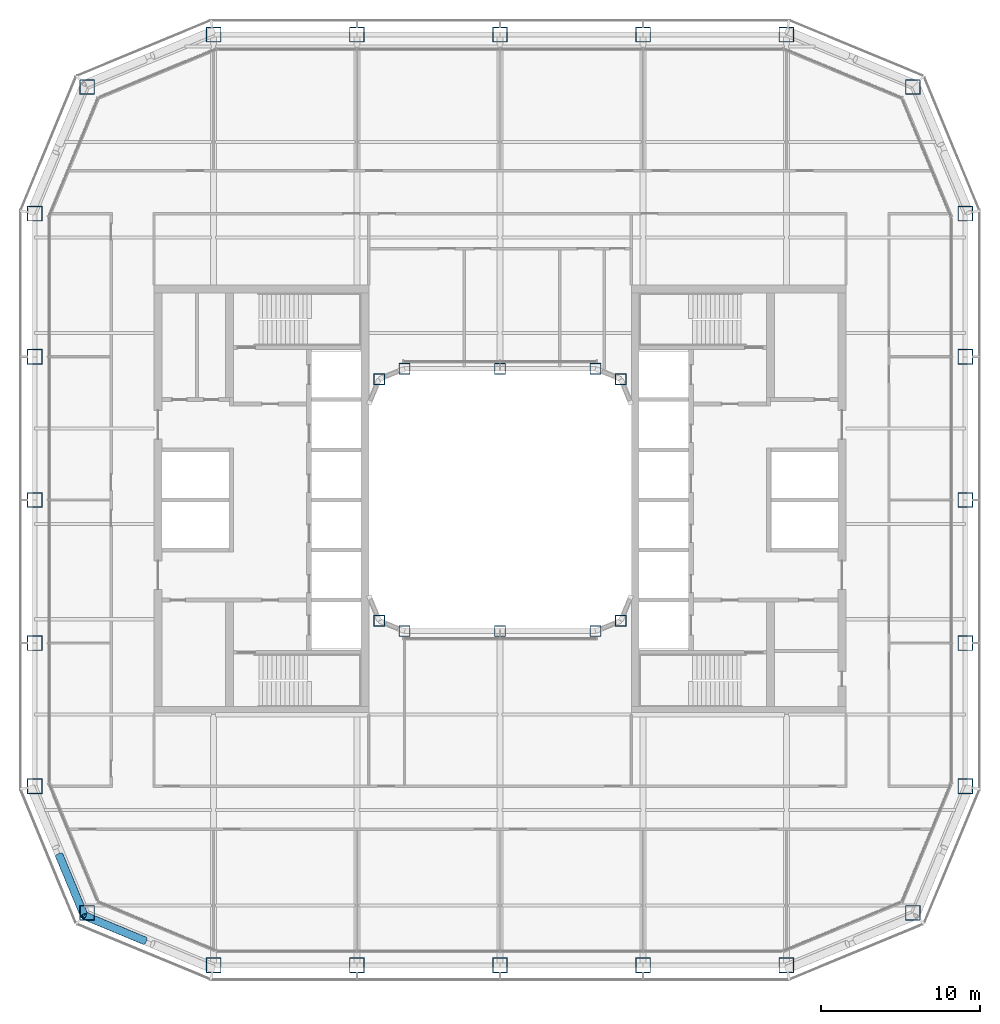
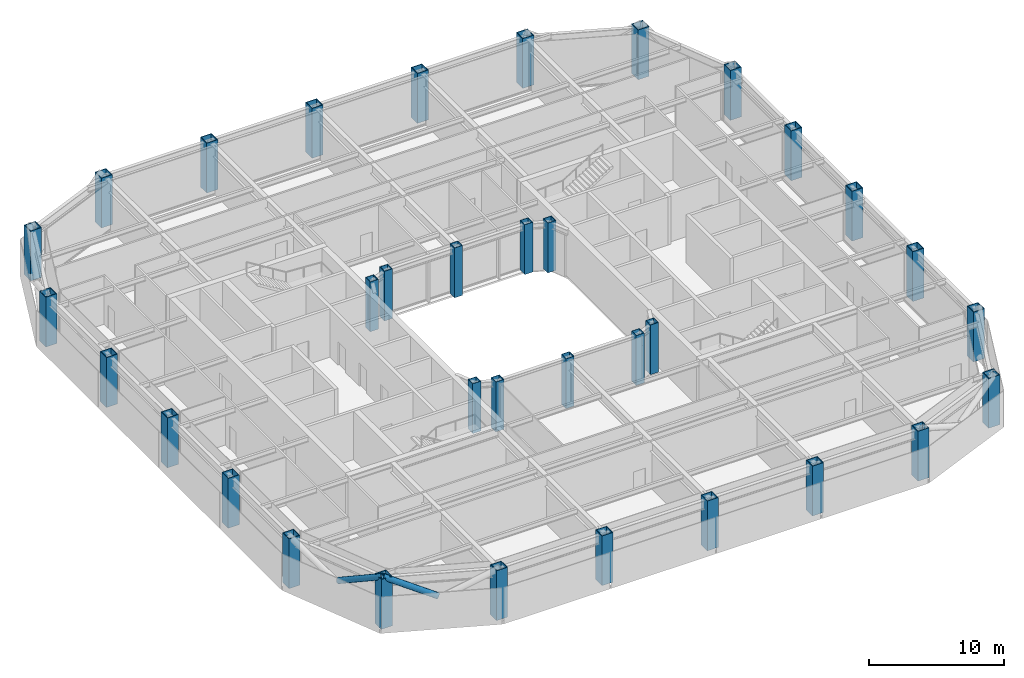
# One storey, part 1 of 21: 34 columns, 2 members.
"""IFC4 building model written with IfcOpenShell, lengths in metres."""

from ifc_helpers import new_model, si_unit, direction, frame, origin, origin_2d, place, context, subcontext, project, spatial, hollow_rectangle, hollow_circle, extrude, material, material_profile, profile_set, type_object, element, save


model = new_model("IFC4")

# Units and contexts
model_context = context("Model", 3, precision=1e-05, world=origin(), true_north=direction((0.0, 1.0)))
body_context = subcontext(model_context, "Body", "Model", "MODEL_VIEW")
ifc_project = project(units=[si_unit("LENGTHUNIT", "METRE"), si_unit("AREAUNIT", "SQUARE_METRE"), si_unit("VOLUMEUNIT", "CUBIC_METRE"), si_unit("PLANEANGLEUNIT", "RADIAN"), si_unit("MASSUNIT", "GRAM", prefix="KILO")], contexts=[model_context])

# Site, building, storey
site_placement = place(None, origin())
site = spatial("IfcSite", under=ifc_project, at=site_placement, CompositionType="ELEMENT")
building_placement = place(site_placement, origin())
building = spatial("IfcBuilding", under=site, at=building_placement, Name="Siwar Civic Tower", CompositionType="ELEMENT")
storey_placement = place(building_placement, frame((0.0, 0.0, 122.699951171875)))
storey = spatial("IfcBuildingStorey", under=building, at=storey_placement, Name="L26", CompositionType="ELEMENT", Elevation=122.699951171875)

# Columns
ifc_material_1 = material(Name="Steel S355", Category="steel")
ifc_material_profile_1 = material_profile(ifc_material_1, hollow_rectangle(XDim=0.949951171875, YDim=0.949951171875, WallThickness=0.054931640625, at=origin_2d()), Name="BOX950x950x55")
ifc_profile_set_1 = profile_set([ifc_material_profile_1], Name="Steel S355")
column_type_1 = type_object("IfcColumnType", Name="STR-COL-BOX950x950x55", PredefinedType="COLUMN", material=ifc_profile_set_1)
for number, where, z_axis, x_axis, name in (
    (1, (-18.0, -29.25, 0.0), (0.0, 0.0, 1.0), (1.0, 0.0, 0.0), "L26/col/S-0"),
    (2, (-9.0, -29.25, 0.0), (0.0, 0.0, 1.0), (1.0, 0.0, 0.0), "L26/col/S-1"),
    (3, (0.0, -29.25, 0.0), (0.0, 0.0, 1.0), (1.0, 0.0, 0.0), "L26/col/S-2"),
    (4, (9.0, -29.25, 0.0), (0.0, 0.0, 1.0), (1.0, 0.0, 0.0), "L26/col/S-3"),
    (5, (18.0, -29.25, 0.0), (0.0, 0.0, 1.0), (1.0, 0.0, 0.0), "L26/col/SE1-0"),
    (6, (25.954833984375, -25.954833984375, 0.0), (0.0, 0.0, 1.0), (1.0, 0.0, 0.0), "L26/col/SE2-0"),
    (7, (29.25, -18.0, 0.0), (0.0, 0.0, 1.0), (1.0, 0.0, 0.0), "L26/col/E-0"),
    (8, (29.25, -9.0, 0.0), (0.0, 0.0, 1.0), (1.0, 0.0, 0.0), "L26/col/E-1"),
    (9, (29.25, 0.0, 0.0), (0.0, 0.0, 1.0), (1.0, 0.0, 0.0), "L26/col/E-2"),
    (10, (29.25, 9.0, 0.0), (0.0, 0.0, 1.0), (1.0, 0.0, 0.0), "L26/col/E-3"),
    (11, (29.25, 18.0, 0.0), (0.0, 0.0, 1.0), (1.0, 0.0, 0.0), "L26/col/NE1-0"),
    (12, (25.954833984375, 25.954833984375, 0.0), (0.0, 0.0, 1.0), (1.0, 0.0, 0.0), "L26/col/NE2-0"),
    (13, (18.0, 29.25, 0.0), (0.0, 0.0, 1.0), (1.0, 0.0, 0.0), "L26/col/N-0"),
    (14, (9.0, 29.25, 0.0), (0.0, 0.0, 1.0), (1.0, 0.0, 0.0), "L26/col/N-1"),
    (15, (0.0, 29.25, 0.0), (0.0, 0.0, 1.0), (1.0, 0.0, 0.0), "L26/col/N-2"),
    (16, (-9.0, 29.25, 0.0), (0.0, 0.0, 1.0), (1.0, 0.0, 0.0), "L26/col/N-3"),
    (17, (-18.0, 29.25, 0.0), (0.0, 0.0, 1.0), (1.0, 0.0, 0.0), "L26/col/NW1-0"),
    (18, (-25.954833984375, 25.954833984375, 0.0), (0.0, 0.0, 1.0), (1.0, 0.0, 0.0), "L26/col/NW2-0"),
    (19, (-29.25, 18.0, 0.0), (0.0, 0.0, 1.0), (1.0, 0.0, 0.0), "L26/col/W-0"),
    (20, (-29.25, 9.0, 0.0), (0.0, 0.0, 1.0), (1.0, 0.0, 0.0), "L26/col/W-1"),
    (21, (-29.25, 0.0, 0.0), (0.0, 0.0, 1.0), (1.0, 0.0, 0.0), "L26/col/W-2"),
    (22, (-29.25, -9.0, 0.0), (0.0, 0.0, 1.0), (1.0, 0.0, 0.0), "L26/col/W-3"),
    (23, (-29.25, -18.0, 0.0), (0.0, 0.0, 1.0), (1.0, 0.0, 0.0), "L26/col/SW1-0"),
    (24, (-25.954833984375, -25.954833984375, 0.0), (0.0, 0.0, 1.0), (1.0, 0.0, 0.0), "L26/col/SW2-0"),
):
    element("IfcColumn", number, at=place(storey_placement, frame(where, z_axis=z_axis, x_axis=x_axis)), inside=storey, type_object=column_type_1, Name=name, PredefinedType="COLUMN", context=body_context, shape_type="SweptSolid", body=[
        extrude(hollow_rectangle(XDim=0.949951171875, YDim=0.949951171875, WallThickness=0.054931640625, at=origin_2d()), origin(), (0.0, 0.0, 1.0), 4.5),
    ])
ifc_material_2 = material(Name="Steel S355", Category="steel")
ifc_material_profile_2 = material_profile(ifc_material_2, hollow_rectangle(XDim=0.699951171875, YDim=0.699951171875, WallThickness=0.0400390625, at=origin_2d()), Name="BOX700x700x40")
ifc_profile_set_2 = profile_set([ifc_material_profile_2], Name="Steel S355")
column_type_2 = type_object("IfcColumnType", Name="STR-ICOL-BOX700x700x40", PredefinedType="COLUMN", material=ifc_profile_set_2)
for number, where, z_axis, x_axis, name in (
    (25, (-7.591064453125, -7.591064453125, 0.0), (0.0, 0.0, 1.0), (1.0, 0.0, 0.0), "L26/col/IS-0"),
    (26, (-6.0, -8.25, 0.0), (0.0, 0.0, 1.0), (1.0, 0.0, 0.0), "L26/col/IS-1"),
    (27, (0.0, -8.25, 0.0), (0.0, 0.0, 1.0), (1.0, 0.0, 0.0), "L26/col/IS-2"),
    (28, (6.0, -8.25, 0.0), (0.0, 0.0, 1.0), (1.0, 0.0, 0.0), "L26/col/IS-3"),
    (29, (7.591064453125, -7.591064453125, 0.0), (0.0, 0.0, 1.0), (1.0, 0.0, 0.0), "L26/col/IS-4"),
    (30, (-7.591064453125, 7.591064453125, 0.0), (0.0, 0.0, 1.0), (1.0, 0.0, 0.0), "L26/col/IN-0"),
    (31, (-6.0, 8.25, 0.0), (0.0, 0.0, 1.0), (1.0, 0.0, 0.0), "L26/col/IN-1"),
    (32, (0.0, 8.25, 0.0), (0.0, 0.0, 1.0), (1.0, 0.0, 0.0), "L26/col/IN-2"),
    (33, (6.0, 8.25, 0.0), (0.0, 0.0, 1.0), (1.0, 0.0, 0.0), "L26/col/IN-3"),
    (34, (7.591064453125, 7.591064453125, 0.0), (0.0, 0.0, 1.0), (1.0, 0.0, 0.0), "L26/col/IN-4"),
):
    element("IfcColumn", number, at=place(storey_placement, frame(where, z_axis=z_axis, x_axis=x_axis)), inside=storey, type_object=column_type_2, Name=name, PredefinedType="COLUMN", context=body_context, shape_type="SweptSolid", body=[
        extrude(hollow_rectangle(XDim=0.699951171875, YDim=0.699951171875, WallThickness=0.0400390625, at=origin_2d()), origin(), (0.0, 0.0, 1.0), 4.5),
    ])

# Members
ifc_material_3 = material(Name="Steel S355", Category="steel")
ifc_material_profile_3 = material_profile(ifc_material_3, hollow_circle(Radius=0.25390625, WallThickness=0.02490234375, at=origin_2d()), Name="CHS508x25")
ifc_profile_set_3 = profile_set([ifc_material_profile_3], Name="Steel S355")
member_type = type_object("IfcMemberType", Name="STR-BR-CHS508x25", PredefinedType="BRACE", material=ifc_profile_set_3)
for number, where, z_axis, x_axis, name in (
    (35, (-22.342529296875, -27.70849609375, 2.390625), (-0.821163134736, 0.341670737976, 0.457112910516), (-0.384154943021, -0.923268638995, 0.0), "L26/brc/BSW1-5-0-3"),
    (36, (-27.70849609375, -22.342529296875, 2.390625), (0.341670737976, -0.821163134736, 0.457112910516), (0.923268638995, 0.384154943021, 0.0), "L26/brc/BSW1-5-0-5"),
):
    element("IfcMember", number, at=place(storey_placement, frame(where, z_axis=z_axis, x_axis=x_axis)), inside=storey, type_object=member_type, Name=name, PredefinedType="BRACE", context=body_context, shape_type="SweptSolid", body=[
        extrude(hollow_circle(Radius=0.25390625, WallThickness=0.02490234375, at=origin_2d()), origin(), (0.0, 0.0, 1.0), 4.614501953125),
    ])

save(model, "model.ifc")
